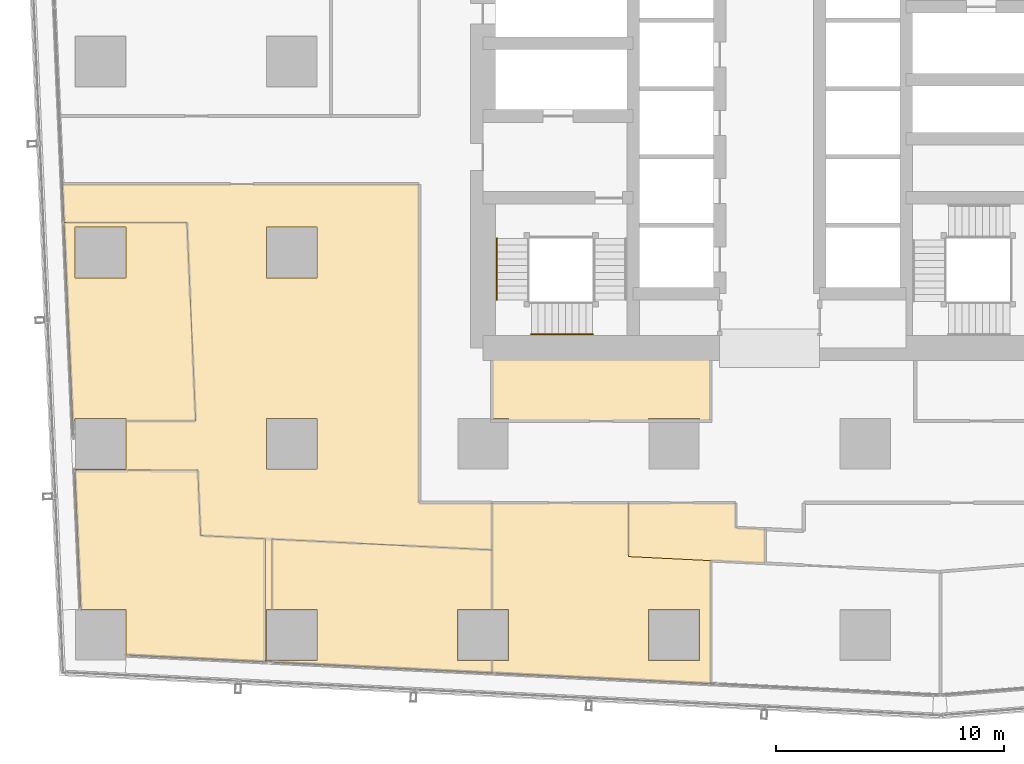
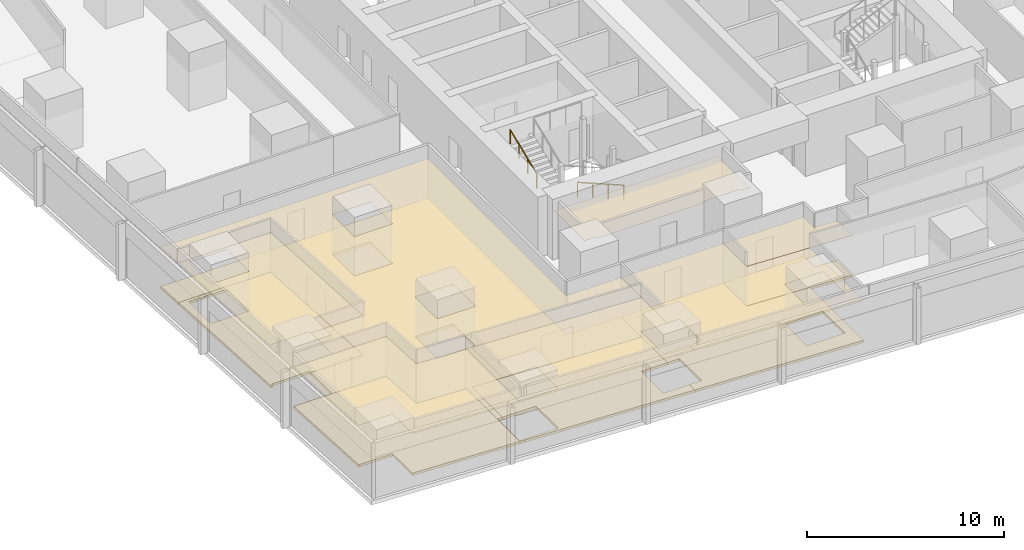
# One storey, part 34 of 42: 13 coverings, 2 railings.
"""IFC4 building model written with IfcOpenShell, lengths in metres."""

import ifcopenshell
import ifcopenshell.guid

model = None  # the IFC model being written
_history = None  # IfcOwnerHistory: only IFC2X3 demands one
_inside = {}  # id of a spatial element -> (the spatial element, [elements in it])
_under = {}  # id of a project, library or spatial element -> (it, [spatial elements below it])
_declared = {}  # id of a project -> (the project, [libraries it declares])
_typed = {}  # id of a type object -> (the type object, [elements of that type])
_made_of = {}  # id of a material, layer set ... -> (it, [elements and type objects made of it])


def new_model(schema):
    """Start an empty IFC model of exactly this schema.

    Asked for "IFC4X3", IfcOpenShell would pick the latest addendum, in which some entities
    have other attributes; the version numbers below select the first issue.
    IFC2X3 requires an IfcOwnerHistory on every rooted entity: one is made here for all.
    """
    global model, _history
    if schema == "IFC4X3":
        model = ifcopenshell.file(schema_version=(4, 3, 0, 0))
    else:
        model = ifcopenshell.file(schema=schema)
    _inside.clear()
    _under.clear()
    _declared.clear()
    _typed.clear()
    _made_of.clear()
    _history = None
    if model.schema == "IFC2X3":
        org = make("IfcOrganization", Name="unknown")
        user = make(
            "IfcPersonAndOrganization",
            ThePerson=make("IfcPerson", FamilyName="unknown"),
            TheOrganization=org,
        )
        app = make(
            "IfcApplication",
            ApplicationDeveloper=org,
            Version="unknown",
            ApplicationFullName="unknown",
            ApplicationIdentifier="unknown",
        )
        _history = make(
            "IfcOwnerHistory",
            OwningUser=user,
            OwningApplication=app,
            ChangeAction="ADDED",
            CreationDate=0,
        )
    return model


def make(cls, **values):
    """One entity of the class cls with the attributes given. An attribute that is None is left unset."""
    return model.create_entity(
        cls, **{name: value for name, value in values.items() if value is not None}
    )


def rooted(cls, **values):
    """An entity with a GlobalId (a new one), such as an element, a storey or a relation."""
    return make(cls, GlobalId=ifcopenshell.guid.new(), OwnerHistory=_history, **values)


def si_unit(unit_type, name, prefix=None):
    """IfcSIUnit, for example si_unit("LENGTHUNIT", "METRE", prefix="MILLI")."""
    return make("IfcSIUnit", UnitType=unit_type, Prefix=prefix, Name=name)


def assignment(units):
    """IfcUnitAssignment: the units of a project."""
    return None if units is None else make("IfcUnitAssignment", Units=units)


def point(xyz):
    """IfcCartesianPoint."""
    return None if xyz is None else make("IfcCartesianPoint", Coordinates=xyz)


def direction(xyz):
    """IfcDirection."""
    return None if xyz is None else make("IfcDirection", DirectionRatios=xyz)


def frame(location, z_axis=None, x_axis=None):
    """IfcAxis2Placement3D, a coordinate frame: its origin and axes. An axis left out is left unset."""
    return make(
        "IfcAxis2Placement3D",
        Location=point(location),
        Axis=direction(z_axis),
        RefDirection=direction(x_axis),
    )


def frame_2d(location, x_axis=None):
    """IfcAxis2Placement2D, a coordinate frame in the plane: its origin and x axis."""
    return make(
        "IfcAxis2Placement2D", Location=point(location), RefDirection=direction(x_axis)
    )


def origin():
    """The frame at (0, 0, 0) with its axes left unset."""
    return frame((0.0, 0.0, 0.0))


def origin_2d():
    """The frame at (0, 0) in the plane with its x axis left unset."""
    return frame_2d((0.0, 0.0))


def place(relative_to, where):
    """IfcLocalPlacement: puts the frame where relative to a parent placement (None: the world)."""
    return make(
        "IfcLocalPlacement", PlacementRelTo=relative_to, RelativePlacement=where
    )


def context(
    kind, dimensions, precision=None, world=None, true_north=None, identifier=None
):
    """IfcGeometricRepresentationContext, for example the 3D "Model" context."""
    return make(
        "IfcGeometricRepresentationContext",
        ContextIdentifier=identifier,
        ContextType=kind,
        CoordinateSpaceDimension=dimensions,
        Precision=precision,
        WorldCoordinateSystem=world,
        TrueNorth=true_north,
    )


def subcontext(parent, identifier, kind, view, scale=None):
    """IfcGeometricRepresentationSubContext, for example "Body" below "Model"."""
    return make(
        "IfcGeometricRepresentationSubContext",
        ContextIdentifier=identifier,
        ContextType=kind,
        ParentContext=parent,
        TargetScale=scale,
        TargetView=view,
    )


def project(units=None, contexts=None):
    """IfcProject with its units and contexts."""
    return rooted(
        "IfcProject",
        Name="project",
        RepresentationContexts=contexts,
        UnitsInContext=assignment(units),
    )


def spatial(cls, under=None, at=None, **own):
    """A site, building, storey or space (cls), placed at a placement, below another one or the project."""
    s = rooted(cls, ObjectPlacement=at, **own)
    if under is not None:
        _under.setdefault(under.id(), (under, []))[1].append(s)
    return s


def polyline(points):
    """IfcPolyline through the points."""
    return make("IfcPolyline", Points=[point(p) for p in points])


def profile(cls, at=None, kind="AREA", **sizes):
    """A parametric profile (cls). Its sizes go by their IFC names, for example OverallWidth=200.0."""
    return make(cls, ProfileType=kind, Position=at, **sizes)


def circle(**sizes):
    """IfcCircleProfileDef."""
    return profile("IfcCircleProfileDef", **sizes)


def outline(outer, holes=None, kind="AREA"):
    """IfcArbitraryClosedProfileDef: a profile drawn as a closed curve; with holes, ...WithVoids."""
    if holes is None:
        return make("IfcArbitraryClosedProfileDef", ProfileType=kind, OuterCurve=outer)
    return make(
        "IfcArbitraryProfileDefWithVoids",
        ProfileType=kind,
        OuterCurve=outer,
        InnerCurves=holes,
    )


def extrude(swept, where, along, depth):
    """IfcExtrudedAreaSolid: the profile swept, set in the frame where, extruded along a direction by depth."""
    return make(
        "IfcExtrudedAreaSolid",
        SweptArea=swept,
        Position=where,
        ExtrudedDirection=direction(along),
        Depth=depth,
    )


def shape(context_of_items, identifier, shape_type, items):
    """IfcShapeRepresentation: the items that make up one representation, for example the "Body"."""
    return make(
        "IfcShapeRepresentation",
        ContextOfItems=context_of_items,
        RepresentationIdentifier=identifier,
        RepresentationType=shape_type,
        Items=items,
    )


def material(Name=None, Category=None):
    """IfcMaterial."""
    return make("IfcMaterial", Name=Name, Category=Category)


def layer(
    of_material, thickness, ventilated=None, Name=None, Category=None, Priority=None
):
    """IfcMaterialLayer: one layer of a wall or slab, of a material (None: an air gap)."""
    return make(
        "IfcMaterialLayer",
        Material=of_material,
        LayerThickness=thickness,
        IsVentilated=ventilated,
        Name=Name,
        Category=Category,
        Priority=Priority,
    )


def layer_set(layers, Name=None):
    """IfcMaterialLayerSet."""
    return make("IfcMaterialLayerSet", MaterialLayers=layers, LayerSetName=Name)


def made_of(thing, what):
    """Note that an element or type object is made of a material, layer set ...; save() writes the relation."""
    if what is not None:
        _made_of.setdefault(what.id(), (what, []))[1].append(thing)
    return thing


def type_object(cls, material=None, **own):
    """A type object (cls), such as IfcWallType, which elements share."""
    return made_of(rooted(cls, **own), material)


def element(
    cls,
    number,
    at=None,
    inside=None,
    cuts=None,
    type_object=None,
    material=None,
    context=None,
    identifier="Body",
    shape_type=None,
    held_by="IfcProductDefinitionShape",
    body=None,
    shapes=None,
    **own,
):
    """One element of the class cls, such as IfcWall. Its Tag is "e" and its number.

    at: its placement. inside: the storey or other place that contains it. cuts: it is an
    opening in that element (IfcRelVoidsElement). A single representation is given by context,
    identifier, shape_type and body (its items); several are given by shapes. held_by: the class
    of the entity that holds the representations. save() writes the other relations.
    """
    e = rooted(cls, Tag="e%d" % number, ObjectPlacement=at, **own)
    if body is not None:
        shapes = [shape(context, identifier, shape_type, body)]
    if shapes is not None:
        e.Representation = make(held_by, Representations=shapes)
    if inside is not None:
        _inside.setdefault(inside.id(), (inside, []))[1].append(e)
    if cuts is not None:
        rooted(
            "IfcRelVoidsElement", RelatingBuildingElement=cuts, RelatedOpeningElement=e
        )
    if type_object is not None:
        _typed.setdefault(type_object.id(), (type_object, []))[1].append(e)
    return made_of(e, material)


def aggregate(whole, parts):
    """IfcRelAggregates: a whole, such as a stair, and the parts it consists of."""
    return rooted("IfcRelAggregates", RelatingObject=whole, RelatedObjects=parts)


def save(model, path):
    """Write the relations noted so far, then the file.

    IfcRelAggregates (storeys below a building ...), IfcRelContainedInSpatialStructure (elements
    in a storey), IfcRelDefinesByType, IfcRelAssociatesMaterial and IfcRelDeclares: one each for
    every whole, place, type object, material and project.
    """
    for whole, parts in _under.values():
        aggregate(whole, parts)
    for where, things in _inside.values():
        rooted(
            "IfcRelContainedInSpatialStructure",
            RelatedElements=things,
            RelatingStructure=where,
        )
    for kind, things in _typed.values():
        rooted("IfcRelDefinesByType", RelatedObjects=things, RelatingType=kind)
    for what, things in _made_of.values():
        rooted("IfcRelAssociatesMaterial", RelatedObjects=things, RelatingMaterial=what)
    for by, libraries in _declared.values():
        rooted("IfcRelDeclares", RelatingContext=by, RelatedDefinitions=libraries)
    model.write(path)


model = new_model("IFC4")

# Units and contexts
model_context = context("Model", 3, precision=1e-05, world=origin(), true_north=direction((0.0, 1.0)))
body_context = subcontext(model_context, "Body", "Model", "MODEL_VIEW")
ifc_project = project(units=[si_unit("LENGTHUNIT", "METRE"), si_unit("AREAUNIT", "SQUARE_METRE"), si_unit("VOLUMEUNIT", "CUBIC_METRE"), si_unit("PLANEANGLEUNIT", "RADIAN"), si_unit("MASSUNIT", "GRAM", prefix="KILO")], contexts=[model_context])

# Site, building, storey
site_placement = place(None, origin())
site = spatial("IfcSite", under=ifc_project, at=site_placement, CompositionType="ELEMENT")
building_placement = place(site_placement, origin())
building = spatial("IfcBuilding", under=site, at=building_placement, Name="Rekha Terrace Tower", CompositionType="ELEMENT")
storey_placement = place(building_placement, frame((0.0, 0.0, 70.39990234375)))
storey = spatial("IfcBuildingStorey", under=building, at=storey_placement, Name="L17", CompositionType="ELEMENT", Elevation=70.39990234375)

# Coverings
ifc_material_1 = material(Name="Mineral fibre tile in exposed grid", Category="finish")
ifc_layer_1 = layer(ifc_material_1, 0.02001953125)
ifc_layer_set_1 = layer_set([ifc_layer_1], Name="Mineral fibre tile in exposed grid")
covering_type_1 = type_object("IfcCoveringType", Name="CL1 600x1200 office grid ceiling", PredefinedType="CEILING", material=ifc_layer_set_1)
covering_1_placement = place(storey_placement, frame((0.0, 0.0, 2.580078125)))
element("IfcCovering", 1, at=covering_1_placement, inside=storey, type_object=covering_type_1, Name="Ceiling L17-07", PredefinedType="CEILING", context=body_context, shape_type="SweptSolid", body=[
    extrude(outline(polyline([(31.60107421875, 11.840087890625), (31.60107421875, 14.199951171875), (25.60107421875, 14.199951171875), (25.60107421875, 9.514892578125), (26.31494140625, 9.514892578125), (26.31494140625, 7.284912109375), (25.60107421875, 7.284912109375), (25.60107421875, 6.72802734375), (35.199951171875, 6.257080078125), (35.199951171875, 11.6630859375), (31.60107421875, 11.840087890625)]), holes=[polyline([(34.715087890625, 7.284912109375), (32.485107421875, 7.284912109375), (32.485107421875, 9.514892578125), (34.715087890625, 9.514892578125), (34.715087890625, 7.284912109375)])]), origin(), (0.0, 0.0, 1.0), 0.02001953125),
])
covering_2_placement = place(storey_placement, frame((0.0, 0.0, 2.580078125)))
element("IfcCovering", 2, at=covering_2_placement, inside=storey, type_object=covering_type_1, Name="Ceiling L17-08", PredefinedType="CEILING", context=body_context, shape_type="SweptSolid", body=[
    extrude(outline(polyline([(36.300048828125, 14.199951171875), (31.60107421875, 14.199951171875), (31.60107421875, 11.840087890625), (35.199951171875, 11.6630859375), (37.60107421875, 11.544921875), (37.60107421875, 13.047119140625), (36.300048828125, 13.111083984375), (36.300048828125, 14.199951171875)])), origin(), (0.0, 0.0, 1.0), 0.02001953125),
])
covering_3_placement = place(storey_placement, frame((0.0, 0.0, 2.580078125)))
element("IfcCovering", 3, at=covering_3_placement, inside=storey, type_object=covering_type_1, Name="Ceiling L17-18", PredefinedType="CEILING", context=body_context, shape_type="SweptSolid", body=[
    extrude(outline(polyline([(12.196044921875, 26.511962890625), (6.791015625, 26.511962890625), (7.172119140625, 17.799072265625), (7.284912109375, 17.799072265625), (7.284912109375, 17.9150390625), (9.514892578125, 17.9150390625), (9.514892578125, 17.799072265625), (12.576904296875, 17.799072265625), (12.196044921875, 26.511962890625)]), holes=[polyline([(9.514892578125, 24.0849609375), (7.284912109375, 24.0849609375), (7.284912109375, 26.31494140625), (9.514892578125, 26.31494140625), (9.514892578125, 24.0849609375)])]), origin(), (0.0, 0.0, 1.0), 0.02001953125),
])
covering_4_placement = place(storey_placement, frame((0.0, 0.0, 2.580078125)))
element("IfcCovering", 4, at=covering_4_placement, inside=storey, type_object=covering_type_1, Name="Ceiling L17-19", PredefinedType="CEILING", context=body_context, shape_type="SweptSolid", body=[
    extrude(outline(polyline([(9.514892578125, 7.51806640625), (15.64208984375, 7.217041015625), (15.64208984375, 12.623046875), (12.797119140625, 12.762939453125), (12.6708984375, 15.64306640625), (7.26611328125, 15.64306640625), (7.533935546875, 9.514892578125), (9.514892578125, 9.514892578125), (9.514892578125, 7.51806640625)])), origin(), (0.0, 0.0, 1.0), 0.02001953125),
])
covering_5_placement = place(storey_placement, frame((0.0, 0.0, 2.580078125)))
element("IfcCovering", 5, at=covering_5_placement, inside=storey, type_object=covering_type_1, Name="Ceiling L17-20", PredefinedType="CEILING", context=body_context, shape_type="SweptSolid", body=[
    extrude(outline(polyline([(15.94091796875, 7.284912109375), (15.94091796875, 7.201904296875), (25.60009765625, 6.72802734375), (25.60009765625, 7.284912109375), (24.0849609375, 7.284912109375), (24.0849609375, 9.514892578125), (25.60009765625, 9.514892578125), (25.60009765625, 12.134033203125), (15.94091796875, 12.60888671875), (15.94091796875, 9.514892578125), (17.9150390625, 9.514892578125), (17.9150390625, 7.284912109375), (15.94091796875, 7.284912109375)])), origin(), (0.0, 0.0, 1.0), 0.02001953125),
])
covering_6_placement = place(storey_placement, frame((0.0, 0.0, 2.580078125)))
element("IfcCovering", 6, at=covering_6_placement, inside=storey, type_object=covering_type_1, Name="Ceiling L17-O4", PredefinedType="CEILING", context=body_context, shape_type="SweptSolid", body=[
    extrude(outline(polyline([(22.39990234375, 28.199951171875), (6.717041015625, 28.199951171875), (6.791015625, 26.511962890625), (12.196044921875, 26.511962890625), (12.576904296875, 17.799072265625), (9.514892578125, 17.799072265625), (9.514892578125, 15.68505859375), (7.263916015625, 15.68505859375), (7.26611328125, 15.64306640625), (12.6708984375, 15.64306640625), (12.797119140625, 12.762939453125), (15.64208984375, 12.623046875), (15.64208984375, 7.217041015625), (15.94091796875, 7.201904296875), (15.94091796875, 7.284912109375), (15.68505859375, 7.284912109375), (15.68505859375, 9.514892578125), (15.94091796875, 9.514892578125), (15.94091796875, 12.60888671875), (25.60009765625, 12.134033203125), (25.60009765625, 14.199951171875), (22.39990234375, 14.199951171875), (22.39990234375, 28.199951171875)]), holes=[polyline([(17.9150390625, 15.68505859375), (15.68505859375, 15.68505859375), (15.68505859375, 17.9150390625), (17.9150390625, 17.9150390625), (17.9150390625, 15.68505859375)]), polyline([(17.9150390625, 24.0849609375), (15.68505859375, 24.0849609375), (15.68505859375, 26.31494140625), (17.9150390625, 26.31494140625), (17.9150390625, 24.0849609375)])]), origin(), (0.0, 0.0, 1.0), 0.02001953125),
])
ifc_material_2 = material(Name="Fibre cement board", Category="finish")
ifc_layer_2 = layer(ifc_material_2, 0.014892578125)
ifc_layer_set_2 = layer_set([ifc_layer_2], Name="Fibre cement board")
covering_type_2 = type_object("IfcCoveringType", Name="CL2 moisture-resistant board ceiling", PredefinedType="CEILING", material=ifc_layer_set_2)
covering_7_placement = place(storey_placement, frame((0.0, 0.0, 2.585205078125)))
element("IfcCovering", 7, at=covering_7_placement, inside=storey, type_object=covering_type_2, Name="Ceiling L17-WCM", PredefinedType="CEILING", context=body_context, shape_type="SweptSolid", body=[
    extrude(outline(polyline([(35.199951171875, 21.0), (25.60009765625, 21.0), (25.60009765625, 17.9150390625), (26.31494140625, 17.9150390625), (26.31494140625, 17.800048828125), (32.485107421875, 17.800048828125), (32.485107421875, 17.9150390625), (34.715087890625, 17.9150390625), (34.715087890625, 17.800048828125), (35.199951171875, 17.800048828125), (35.199951171875, 21.0)])), origin(), (0.0, 0.0, 1.0), 0.014892578125),
])

# Railings
ifc_material_3 = material(Name="Stainless steel tube", Category="steel")
railing_type = type_object("IfcRailingType", Name="HR1 900 stair handrail", PredefinedType="HANDRAIL", material=ifc_material_3)
railing_1_placement = place(storey_placement, frame((30.02490234375, 21.610107421875, 1.375)))
element("IfcRailing", 8, at=railing_1_placement, inside=storey, type_object=railing_type, Name="Handrail ST1 L17 flight 2", PredefinedType="HANDRAIL", context=body_context, shape_type="SweptSolid", body=[
    extrude(circle(Radius=0.02392578125, at=origin_2d()), frame((0.0, 0.0, 0.8759765625), z_axis=(-0.923074453586, 0.0, 0.384621311341), x_axis=(0.0, -1.0, 0.0)), (0.0, 0.0, 1.0), 2.925048828125),
    extrude(circle(Radius=0.02099609375, at=origin_2d()), origin(), (0.0, 0.0, 1.0), 0.851806640625),
    extrude(circle(Radius=0.02099609375, at=origin_2d()), frame((-0.89990234375, 0.0, 0.375)), (0.0, 0.0, 1.0), 0.851806640625),
    extrude(circle(Radius=0.02099609375, at=origin_2d()), frame((-1.800048828125, 0.0, 0.75)), (0.0, 0.0, 1.0), 0.851806640625),
    extrude(circle(Radius=0.02099609375, at=origin_2d()), frame((-2.699951171875, 0.0, 1.125)), (0.0, 0.0, 1.0), 0.851806640625),
])
railing_2_placement = place(storey_placement, frame((25.81005859375, 23.125, 2.625)))
element("IfcRailing", 9, at=railing_2_placement, inside=storey, type_object=railing_type, Name="Handrail ST1 L17 flight 3", PredefinedType="HANDRAIL", context=body_context, shape_type="SweptSolid", body=[
    extrude(circle(Radius=0.02392578125, at=origin_2d()), frame((0.0, 0.0, 0.8759765625), z_axis=(0.0, 0.923074453586, 0.384621311341), x_axis=(-1.0, 0.0, 0.0)), (0.0, 0.0, 1.0), 2.925048828125),
    extrude(circle(Radius=0.02099609375, at=origin_2d()), origin(), (0.0, 0.0, 1.0), 0.851806640625),
    extrude(circle(Radius=0.02099609375, at=origin_2d()), frame((0.0, 0.89990234375, 0.375)), (0.0, 0.0, 1.0), 0.851806640625),
    extrude(circle(Radius=0.02099609375, at=origin_2d()), frame((0.0, 1.800048828125, 0.75)), (0.0, 0.0, 1.0), 0.851806640625),
    extrude(circle(Radius=0.02099609375, at=origin_2d()), frame((0.0, 2.699951171875, 1.125)), (0.0, 0.0, 1.0), 0.851806640625),
])

# Coverings
ifc_material_4 = material(Name="Calcium sulphate panels on steel pedestals", Category="steel")
ifc_layer_3 = layer(ifc_material_4, 0.14990234375)
ifc_layer_set_3 = layer_set([ifc_layer_3], Name="Calcium sulphate panels on steel pedestals")
covering_type_3 = type_object("IfcCoveringType", Name="RF1 150 raised access floor", PredefinedType="FLOORING", material=ifc_layer_set_3)
covering_8_placement = place(storey_placement, origin())
element("IfcCovering", 10, at=covering_8_placement, inside=storey, type_object=covering_type_3, Name="Raised floor L17-07", PredefinedType="FLOORING", context=body_context, shape_type="SweptSolid", body=[
    extrude(outline(polyline([(31.60107421875, 11.840087890625), (31.60107421875, 14.199951171875), (25.60107421875, 14.199951171875), (25.60107421875, 9.514892578125), (26.31494140625, 9.514892578125), (26.31494140625, 7.284912109375), (25.60107421875, 7.284912109375), (25.60107421875, 6.72802734375), (35.199951171875, 6.257080078125), (35.199951171875, 11.6630859375), (31.60107421875, 11.840087890625)]), holes=[polyline([(34.715087890625, 7.284912109375), (32.485107421875, 7.284912109375), (32.485107421875, 9.514892578125), (34.715087890625, 9.514892578125), (34.715087890625, 7.284912109375)])]), origin(), (0.0, 0.0, 1.0), 0.150146484375),
])
covering_9_placement = place(storey_placement, origin())
element("IfcCovering", 11, at=covering_9_placement, inside=storey, type_object=covering_type_3, Name="Raised floor L17-08", PredefinedType="FLOORING", context=body_context, shape_type="SweptSolid", body=[
    extrude(outline(polyline([(36.300048828125, 14.199951171875), (31.60107421875, 14.199951171875), (31.60107421875, 11.840087890625), (35.199951171875, 11.6630859375), (37.60107421875, 11.544921875), (37.60107421875, 13.047119140625), (36.300048828125, 13.111083984375), (36.300048828125, 14.199951171875)])), origin(), (0.0, 0.0, 1.0), 0.150146484375),
])
covering_10_placement = place(storey_placement, origin())
element("IfcCovering", 12, at=covering_10_placement, inside=storey, type_object=covering_type_3, Name="Raised floor L17-18", PredefinedType="FLOORING", context=body_context, shape_type="SweptSolid", body=[
    extrude(outline(polyline([(12.196044921875, 26.511962890625), (6.791015625, 26.511962890625), (7.172119140625, 17.799072265625), (7.284912109375, 17.799072265625), (7.284912109375, 17.9150390625), (9.514892578125, 17.9150390625), (9.514892578125, 17.799072265625), (12.576904296875, 17.799072265625), (12.196044921875, 26.511962890625)]), holes=[polyline([(9.514892578125, 24.0849609375), (7.284912109375, 24.0849609375), (7.284912109375, 26.31494140625), (9.514892578125, 26.31494140625), (9.514892578125, 24.0849609375)])]), origin(), (0.0, 0.0, 1.0), 0.150146484375),
])
covering_11_placement = place(storey_placement, origin())
element("IfcCovering", 13, at=covering_11_placement, inside=storey, type_object=covering_type_3, Name="Raised floor L17-19", PredefinedType="FLOORING", context=body_context, shape_type="SweptSolid", body=[
    extrude(outline(polyline([(9.514892578125, 7.51806640625), (15.64208984375, 7.217041015625), (15.64208984375, 12.623046875), (12.797119140625, 12.762939453125), (12.6708984375, 15.64306640625), (7.26611328125, 15.64306640625), (7.533935546875, 9.514892578125), (9.514892578125, 9.514892578125), (9.514892578125, 7.51806640625)])), origin(), (0.0, 0.0, 1.0), 0.150146484375),
])
covering_12_placement = place(storey_placement, origin())
element("IfcCovering", 14, at=covering_12_placement, inside=storey, type_object=covering_type_3, Name="Raised floor L17-20", PredefinedType="FLOORING", context=body_context, shape_type="SweptSolid", body=[
    extrude(outline(polyline([(15.94091796875, 7.284912109375), (15.94091796875, 7.201904296875), (25.60009765625, 6.72802734375), (25.60009765625, 7.284912109375), (24.0849609375, 7.284912109375), (24.0849609375, 9.514892578125), (25.60009765625, 9.514892578125), (25.60009765625, 12.134033203125), (15.94091796875, 12.60888671875), (15.94091796875, 9.514892578125), (17.9150390625, 9.514892578125), (17.9150390625, 7.284912109375), (15.94091796875, 7.284912109375)])), origin(), (0.0, 0.0, 1.0), 0.150146484375),
])
covering_13_placement = place(storey_placement, origin())
element("IfcCovering", 15, at=covering_13_placement, inside=storey, type_object=covering_type_3, Name="Raised floor L17-O4", PredefinedType="FLOORING", context=body_context, shape_type="SweptSolid", body=[
    extrude(outline(polyline([(22.39990234375, 28.199951171875), (6.717041015625, 28.199951171875), (6.791015625, 26.511962890625), (12.196044921875, 26.511962890625), (12.576904296875, 17.799072265625), (9.514892578125, 17.799072265625), (9.514892578125, 15.68505859375), (7.263916015625, 15.68505859375), (7.26611328125, 15.64306640625), (12.6708984375, 15.64306640625), (12.797119140625, 12.762939453125), (15.64208984375, 12.623046875), (15.64208984375, 7.217041015625), (15.94091796875, 7.201904296875), (15.94091796875, 7.284912109375), (15.68505859375, 7.284912109375), (15.68505859375, 9.514892578125), (15.94091796875, 9.514892578125), (15.94091796875, 12.60888671875), (25.60009765625, 12.134033203125), (25.60009765625, 14.199951171875), (22.39990234375, 14.199951171875), (22.39990234375, 28.199951171875)]), holes=[polyline([(17.9150390625, 15.68505859375), (15.68505859375, 15.68505859375), (15.68505859375, 17.9150390625), (17.9150390625, 17.9150390625), (17.9150390625, 15.68505859375)]), polyline([(17.9150390625, 24.0849609375), (15.68505859375, 24.0849609375), (15.68505859375, 26.31494140625), (17.9150390625, 26.31494140625), (17.9150390625, 24.0849609375)])]), origin(), (0.0, 0.0, 1.0), 0.150146484375),
])

save(model, "model.ifc")
